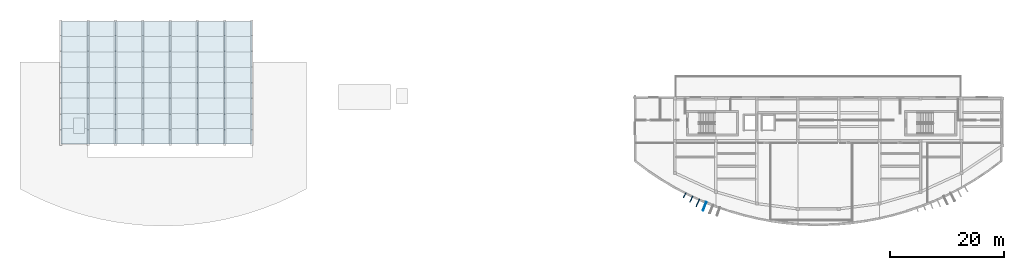
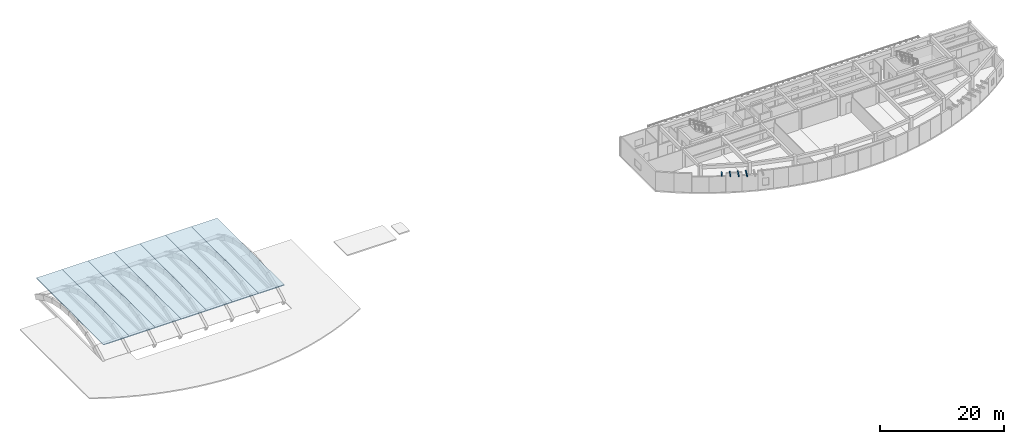
# One storey, part 7 of 11: 7 roofs, 4 discrete accessories.
"""IFC4 building model written with IfcOpenShell, lengths in metres."""

from ifc_helpers import new_model, si_unit, direction, frame, origin, origin_2d, place, context, subcontext, project, spatial, polyline, rectangle, outline, extrude, material, layer, layer_set, type_object, element, save


model = new_model("IFC4")

# Units and contexts
model_context = context("Model", 3, precision=1e-05, world=origin(), true_north=direction((0.0, 1.0)))
body_context = subcontext(model_context, "Body", "Model", "MODEL_VIEW")
ifc_project = project(units=[si_unit("LENGTHUNIT", "METRE"), si_unit("AREAUNIT", "SQUARE_METRE"), si_unit("VOLUMEUNIT", "CUBIC_METRE"), si_unit("PLANEANGLEUNIT", "RADIAN"), si_unit("MASSUNIT", "GRAM", prefix="KILO")], contexts=[model_context])

# Site, building, storey
site_placement = place(None, origin())
site = spatial("IfcSite", under=ifc_project, at=site_placement, CompositionType="ELEMENT")
building_placement = place(site_placement, origin())
building = spatial("IfcBuilding", under=site, at=building_placement, Name="Brisavento Harbour Community Centre", CompositionType="ELEMENT")
storey_placement = place(building_placement, frame((0.0, 0.0, 16.800048828125)))
storey = spatial("IfcBuildingStorey", under=building, at=storey_placement, Name="L04", CompositionType="ELEMENT", Elevation=16.800048828125)

# Roofs
ifc_material_1 = material(Name="Concrete C40/50", Category="concrete")
ifc_layer = layer(ifc_material_1, 0.159912109375, Name="Concrete C40/50")
ifc_layer_set = layer_set([ifc_layer], Name="Concrete C40/50")
roof_type = type_object("IfcRoofType", Name="ROOF-BARREL", PredefinedType="BARREL_ROOF", material=ifc_layer_set)
roof_1_placement = place(storey_placement, frame((0.0, 0.0, 3.0400390625)))
element("IfcRoof", 1, at=roof_1_placement, inside=storey, type_object=roof_type, Name="Main Hall barrel-vault roof bay 1", PredefinedType="BARREL_ROOF", context=body_context, shape_type="SweptSolid", body=[
    extrude(outline(polyline([(7.199951171875, 14.39990234375), (12.0, 14.39990234375), (12.0, 36.0), (7.199951171875, 36.0), (7.199951171875, 14.39990234375)])), origin(), (0.0, 0.0, 1.0), 0.159912109375),
])
roof_2_placement = place(storey_placement, frame((0.0, 0.0, 3.0400390625)))
element("IfcRoof", 2, at=roof_2_placement, inside=storey, type_object=roof_type, Name="Main Hall barrel-vault roof bay 2", PredefinedType="BARREL_ROOF", context=body_context, shape_type="SweptSolid", body=[
    extrude(outline(polyline([(12.0, 14.39990234375), (16.800048828125, 14.39990234375), (16.800048828125, 36.0), (12.0, 36.0), (12.0, 14.39990234375)])), origin(), (0.0, 0.0, 1.0), 0.159912109375),
])
roof_3_placement = place(storey_placement, frame((0.0, 0.0, 3.0400390625)))
element("IfcRoof", 3, at=roof_3_placement, inside=storey, type_object=roof_type, Name="Main Hall barrel-vault roof bay 3", PredefinedType="BARREL_ROOF", context=body_context, shape_type="SweptSolid", body=[
    extrude(outline(polyline([(16.800048828125, 14.39990234375), (21.60009765625, 14.39990234375), (21.60009765625, 36.0), (16.800048828125, 36.0), (16.800048828125, 14.39990234375)])), origin(), (0.0, 0.0, 1.0), 0.159912109375),
])
roof_4_placement = place(storey_placement, frame((0.0, 0.0, 3.0400390625)))
element("IfcRoof", 4, at=roof_4_placement, inside=storey, type_object=roof_type, Name="Main Hall barrel-vault roof bay 4", PredefinedType="BARREL_ROOF", context=body_context, shape_type="SweptSolid", body=[
    extrude(outline(polyline([(21.60009765625, 14.39990234375), (26.39990234375, 14.39990234375), (26.39990234375, 36.0), (21.60009765625, 36.0), (21.60009765625, 14.39990234375)])), origin(), (0.0, 0.0, 1.0), 0.159912109375),
])
roof_5_placement = place(storey_placement, frame((0.0, 0.0, 3.0400390625)))
element("IfcRoof", 5, at=roof_5_placement, inside=storey, type_object=roof_type, Name="Main Hall barrel-vault roof bay 5", PredefinedType="BARREL_ROOF", context=body_context, shape_type="SweptSolid", body=[
    extrude(outline(polyline([(26.39990234375, 14.39990234375), (31.199951171875, 14.39990234375), (31.199951171875, 36.0), (26.39990234375, 36.0), (26.39990234375, 14.39990234375)])), origin(), (0.0, 0.0, 1.0), 0.159912109375),
])
roof_6_placement = place(storey_placement, frame((0.0, 0.0, 3.0400390625)))
element("IfcRoof", 6, at=roof_6_placement, inside=storey, type_object=roof_type, Name="Main Hall barrel-vault roof bay 6", PredefinedType="BARREL_ROOF", context=body_context, shape_type="SweptSolid", body=[
    extrude(outline(polyline([(31.199951171875, 14.39990234375), (36.0, 14.39990234375), (36.0, 36.0), (31.199951171875, 36.0), (31.199951171875, 14.39990234375)])), origin(), (0.0, 0.0, 1.0), 0.159912109375),
])
roof_7_placement = place(storey_placement, frame((0.0, 0.0, 3.0400390625)))
element("IfcRoof", 7, at=roof_7_placement, inside=storey, type_object=roof_type, Name="Main Hall barrel-vault roof bay 7", PredefinedType="BARREL_ROOF", context=body_context, shape_type="SweptSolid", body=[
    extrude(outline(polyline([(36.0, 14.39990234375), (40.800048828125, 14.39990234375), (40.800048828125, 36.0), (36.0, 36.0), (36.0, 14.39990234375)])), origin(), (0.0, 0.0, 1.0), 0.159912109375),
])

# Discrete accessories
ifc_material_2 = material(Name="Stainless steel 1.4401", Category="steel")
discrete_accessory_type = type_object("IfcDiscreteAccessoryType", Name="BRK-FIN-SS", PredefinedType="BRACKET", material=ifc_material_2)
discrete_accessory_1_placement = place(storey_placement, frame((116.914794921875, 5.41357421875, 3.68017578125), z_axis=(0.0, 0.0, 1.0), x_axis=(-0.461702168823, -0.887035009063, 0.0)))
element("IfcDiscreteAccessory", 8, at=discrete_accessory_1_placement, inside=storey, type_object=discrete_accessory_type, Name="Stainless-steel storm-fin bracket 101.6", PredefinedType="BRACKET", context=body_context, shape_type="SweptSolid", body=[
    extrude(rectangle(XDim=0.968994140625, YDim=0.139892578125, at=origin_2d()), origin(), (0.0, 0.0, 1.0), 0.199951171875),
])
discrete_accessory_2_placement = place(storey_placement, frame((118.07470703125, 4.716796875, 3.68017578125), z_axis=(0.0, 0.0, 1.0), x_axis=(-0.415518926407, -0.909584532519, 0.0)))
element("IfcDiscreteAccessory", 9, at=discrete_accessory_2_placement, inside=storey, type_object=discrete_accessory_type, Name="Stainless-steel storm-fin bracket 102.6", PredefinedType="BRACKET", context=body_context, shape_type="SweptSolid", body=[
    extrude(rectangle(XDim=1.20263671875, YDim=0.139892578125, at=origin_2d()), origin(), (0.0, 0.0, 1.0), 0.199951171875),
])
discrete_accessory_3_placement = place(storey_placement, frame((119.2265625, 4.063232421875, 3.68017578125), z_axis=(0.0, 0.0, 1.0), x_axis=(-0.415518926407, -0.909584532519, 0.0)))
element("IfcDiscreteAccessory", 10, at=discrete_accessory_3_placement, inside=storey, type_object=discrete_accessory_type, Name="Stainless-steel storm-fin bracket 103.6", PredefinedType="BRACKET", context=body_context, shape_type="SweptSolid", body=[
    extrude(rectangle(XDim=1.434326171875, YDim=0.139892578125, at=origin_2d()), origin(), (0.0, 0.0, 1.0), 0.199951171875),
])
discrete_accessory_4_placement = place(storey_placement, frame((120.4169921875, 3.4697265625, 3.68017578125), z_axis=(0.0, 0.0, 1.0), x_axis=(-0.369341311525, -0.92929381554, 0.0)))
element("IfcDiscreteAccessory", 11, at=discrete_accessory_4_placement, inside=storey, type_object=discrete_accessory_type, Name="Stainless-steel storm-fin bracket 104.6", PredefinedType="BRACKET", context=body_context, shape_type="SweptSolid", body=[
    extrude(rectangle(XDim=1.59130859375, YDim=0.139892578125, at=origin_2d()), origin(), (0.0, 0.0, 1.0), 0.199951171875),
])

save(model, "model.ifc")
